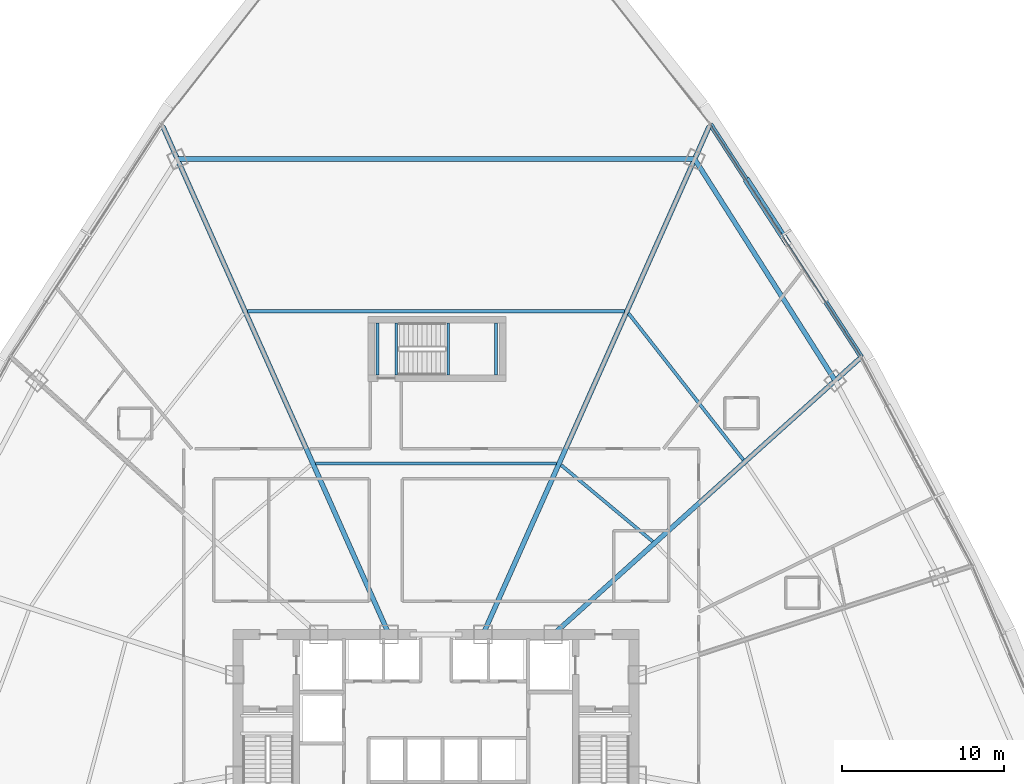
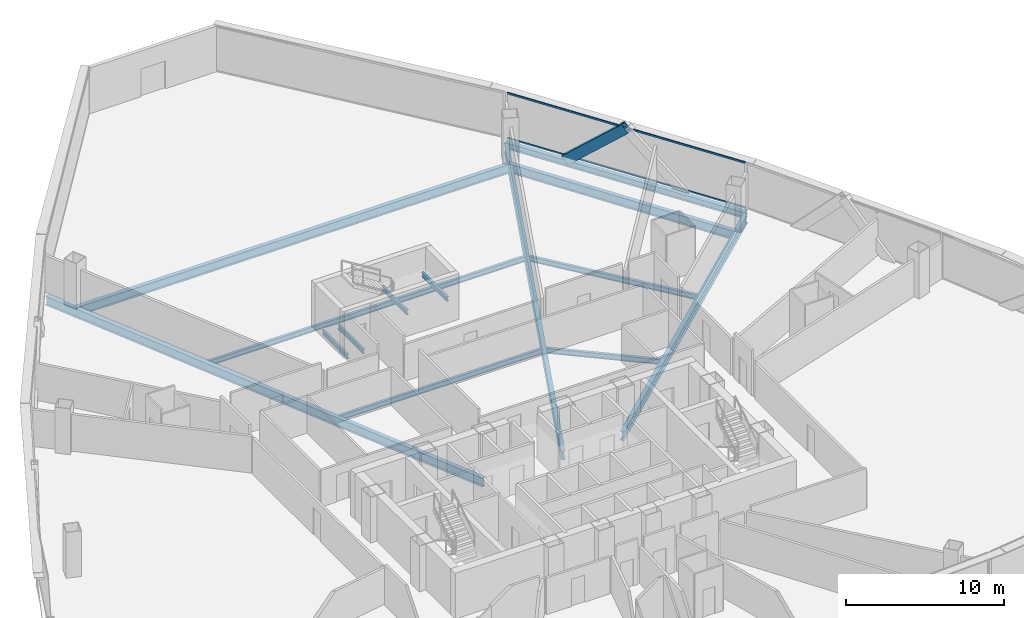
# One storey, part 17 of 37: 14 beams, 3 members, 1 element without a shape of its own.
"""IFC4 building model written with IfcOpenShell, lengths in metres."""

from ifc_helpers import new_model, si_unit, direction, frame, origin, origin_2d, place, context, subcontext, project, spatial, hollow_rectangle, i_section, extrude, source, transform, mapped, material, layer, layer_set, material_profile, profile_set, type_object, element, aggregate, save


model = new_model("IFC4")

# Units and contexts
model_context = context("Model", 3, precision=1e-05, world=origin(), true_north=direction((0.0, 1.0)))
body_context = subcontext(model_context, "Body", "Model", "MODEL_VIEW")
ifc_project = project(units=[si_unit("LENGTHUNIT", "METRE"), si_unit("AREAUNIT", "SQUARE_METRE"), si_unit("VOLUMEUNIT", "CUBIC_METRE"), si_unit("PLANEANGLEUNIT", "RADIAN"), si_unit("MASSUNIT", "GRAM", prefix="KILO"), si_unit("THERMODYNAMICTEMPERATUREUNIT", "KELVIN"), si_unit("POWERUNIT", "WATT")], contexts=[model_context])

# Site, building, storey
site_placement = place(None, origin())
site = spatial("IfcSite", under=ifc_project, at=site_placement, CompositionType="ELEMENT")
building_placement = place(site_placement, origin())
building = spatial("IfcBuilding", under=site, at=building_placement, Name="Yunzhuo Pagoda Commons", CompositionType="ELEMENT")
storey_placement = place(building_placement, frame((0.0, 0.0, 84.97998046875)))
storey = spatial("IfcBuildingStorey", under=building, at=storey_placement, Name="L21", CompositionType="ELEMENT", Elevation=84.97998046875)

# Beams
ifc_material_1 = material(Name="Structural steel Q355B", Category="steel")
ifc_material_profile_1 = material_profile(ifc_material_1, i_section(OverallWidth=0.175048828125, OverallDepth=0.35009765625, WebThickness=0.007080078125, FlangeThickness=0.010986328125, at=origin_2d()), Name="Structural steel Q355B")
ifc_profile_set_1 = profile_set([ifc_material_profile_1], Name="Structural steel Q355B")
beam_type_1 = type_object("IfcBeamType", Name="B-JS2 Joist HN 350x175x7x11", PredefinedType="JOIST", material=ifc_profile_set_1)
shared_shape_1 = source(origin(), body_context, "Body", "SweptSolid", [
    extrude(i_section(OverallWidth=0.175048828125, OverallDepth=0.35009765625, WebThickness=0.007080078125, FlangeThickness=0.010986328125, at=origin_2d()), origin(), (0.0, 0.0, 1.0), 3.199951171875),
])
for number, where, z_axis, x_axis, name in (
    (1, (48.75, 56.199951171875, 1.52490234375), (0.0, 1.0, 0.0), (-1.0, 0.0, 0.0), "L21 ST3 landing support beam 27A"),
    (2, (51.699951171875, 56.199951171875, 1.52490234375), (0.0, 1.0, 0.0), (-1.0, 0.0, 0.0), "L21 ST3 landing support beam 27B"),
    (3, (44.39990234375, 56.199951171875, -0.374755859375), (0.0, 1.0, 0.0), (-1.0, 0.0, 0.0), "L21 ST3 landing support beam 95A"),
    (4, (45.550048828125, 56.199951171875, -0.374755859375), (0.0, 1.0, 0.0), (-1.0, 0.0, 0.0), "L21 ST3 landing support beam 95B"),
):
    element("IfcBeam", number, at=place(storey_placement, frame(where, z_axis=z_axis, x_axis=x_axis)), inside=storey, type_object=beam_type_1, Name=name, PredefinedType="JOIST", context=body_context, shape_type="MappedRepresentation", body=[
        mapped(shared_shape_1, transform((0.0, 0.0, 0.0), scale=1.0)),
    ])
ifc_material_profile_2 = material_profile(ifc_material_1, i_section(OverallWidth=0.300048828125, OverallDepth=0.488037109375, WebThickness=0.010986328125, FlangeThickness=0.01806640625, at=origin_2d()), Name="Structural steel Q355B")
ifc_profile_set_2 = profile_set([ifc_material_profile_2], Name="Structural steel Q355B")
beam_type_2 = type_object("IfcBeamType", Name="B-SP1 Beam HM 488x300x11x18", PredefinedType="BEAM", material=ifc_profile_set_2)
shared_shape_2 = source(origin(), body_context, "Body", "SweptSolid", [
    extrude(i_section(OverallWidth=0.300048828125, OverallDepth=0.488037109375, WebThickness=0.010986328125, FlangeThickness=0.01806640625, at=origin_2d()), origin(), (0.0, 0.0, 1.0), 17.115966796875),
])
beam_1_placement = place(storey_placement, frame((74.2197265625, 57.308349609375, -0.50390625), z_axis=(-0.544271692391, 0.83890900869, 0.0), x_axis=(-0.83890900869, -0.544271692391, 0.0)))
element("IfcBeam", 5, at=beam_1_placement, inside=storey, type_object=beam_type_2, Name="L21 facade edge spandrel beam F2.3", PredefinedType="BEAM", context=body_context, shape_type="MappedRepresentation", body=[
    mapped(shared_shape_2, transform((0.0, 0.0, 0.0), scale=1.0)),
])
ifc_material_profile_3 = material_profile(ifc_material_1, i_section(OverallWidth=0.300048828125, OverallDepth=0.699951171875, WebThickness=0.012939453125, FlangeThickness=0.02392578125, at=origin_2d()), Name="Structural steel Q355B")
ifc_profile_set_3 = profile_set([ifc_material_profile_3], Name="Structural steel Q355B")
beam_type_3 = type_object("IfcBeamType", Name="B-RG1 Beam HN 700x300x13x24", PredefinedType="BEAM", material=ifc_profile_set_3)
shared_shape_3 = source(origin(), body_context, "Body", "SweptSolid", [
    extrude(i_section(OverallWidth=0.300048828125, OverallDepth=0.699951171875, WebThickness=0.012939453125, FlangeThickness=0.02392578125, at=origin_2d()), origin(), (0.0, 0.0, 1.0), 16.16845703125),
])
beam_2_placement = place(storey_placement, frame((72.602783203125, 55.852294921875, -0.60986328125), z_axis=(-0.535695673154, 0.844411123662, 0.0), x_axis=(-0.844411123662, -0.535695673154, 0.0)))
element("IfcBeam", 6, at=beam_2_placement, inside=storey, type_object=beam_type_3, Name="L21 column-ring beam 7", PredefinedType="BEAM", context=body_context, shape_type="MappedRepresentation", body=[
    mapped(shared_shape_3, transform((0.0, 0.0, 0.0), scale=1.0)),
])
shared_shape_4 = source(origin(), body_context, "Body", "SweptSolid", [
    extrude(i_section(OverallWidth=0.300048828125, OverallDepth=0.699951171875, WebThickness=0.012939453125, FlangeThickness=0.02392578125, at=origin_2d()), origin(), (0.0, 0.0, 1.0), 31.8828125),
])
beam_3_placement = place(storey_placement, frame((63.94140625, 69.505126953125, -0.60986328125), z_axis=(-1.0, 0.0, 0.0), x_axis=(0.0, -1.0, 0.0)))
element("IfcBeam", 7, at=beam_3_placement, inside=storey, type_object=beam_type_3, Name="L21 column-ring beam 8", PredefinedType="BEAM", context=body_context, shape_type="MappedRepresentation", body=[
    mapped(shared_shape_4, transform((0.0, 0.0, 0.0), scale=1.0)),
])
shared_shape_5 = source(origin(), body_context, "Body", "SweptSolid", [
    extrude(i_section(OverallWidth=0.300048828125, OverallDepth=0.699951171875, WebThickness=0.012939453125, FlangeThickness=0.02392578125, at=origin_2d()), origin(), (0.0, 0.0, 1.0), 25.4130859375),
])
beam_4_placement = place(storey_placement, frame((74.1044921875, 57.20458984375, -0.60986328125), z_axis=(-0.743143654342, -0.669131907034, 0.0), x_axis=(0.669131907034, -0.743143654342, 0.0)))
element("IfcBeam", 8, at=beam_4_placement, inside=storey, type_object=beam_type_3, Name="L21 radial floor girder F2C3", PredefinedType="BEAM", context=body_context, shape_type="MappedRepresentation", body=[
    mapped(shared_shape_5, transform((0.0, 0.0, 0.0), scale=1.0)),
])
shared_shape_6 = source(origin(), body_context, "Body", "SweptSolid", [
    extrude(i_section(OverallWidth=0.300048828125, OverallDepth=0.699951171875, WebThickness=0.012939453125, FlangeThickness=0.02392578125, at=origin_2d()), origin(), (0.0, 0.0, 1.0), 34.2900390625),
])
beam_5_placement = place(storey_placement, frame((64.84130859375, 71.525390625, -0.60986328125), z_axis=(-0.406743491902, -0.913542408318, 0.0), x_axis=(0.913542408318, -0.406743491902, 0.0)))
element("IfcBeam", 9, at=beam_5_placement, inside=storey, type_object=beam_type_3, Name="L21 radial floor girder F2C4", PredefinedType="BEAM", context=body_context, shape_type="MappedRepresentation", body=[
    mapped(shared_shape_6, transform((0.0, 0.0, 0.0), scale=1.0)),
])
shared_shape_7 = source(origin(), body_context, "Body", "SweptSolid", [
    extrude(i_section(OverallWidth=0.300048828125, OverallDepth=0.699951171875, WebThickness=0.012939453125, FlangeThickness=0.02392578125, at=origin_2d()), origin(), (0.0, 0.0, 1.0), 34.289794921875),
])
beam_6_placement = place(storey_placement, frame((31.1591796875, 71.525390625, -0.60986328125), z_axis=(0.406731607898, -0.913547699432, 0.0), x_axis=(0.913547699432, 0.406731607898, 0.0)))
element("IfcBeam", 10, at=beam_6_placement, inside=storey, type_object=beam_type_3, Name="L21 radial floor girder F3C1", PredefinedType="BEAM", context=body_context, shape_type="MappedRepresentation", body=[
    mapped(shared_shape_7, transform((0.0, 0.0, 0.0), scale=1.0)),
])
ifc_material_profile_4 = material_profile(ifc_material_1, i_section(OverallWidth=0.199951171875, OverallDepth=0.39990234375, WebThickness=0.008056640625, FlangeThickness=0.012939453125, at=origin_2d()), Name="Structural steel Q355B")
ifc_profile_set_4 = profile_set([ifc_material_profile_4], Name="Structural steel Q355B")
beam_type_4 = type_object("IfcBeamType", Name="B-JS1 Joist HN 400x200x8x13", PredefinedType="JOIST", material=ifc_profile_set_4)
shared_shape_8 = source(origin(), body_context, "Body", "SweptSolid", [
    extrude(i_section(OverallWidth=0.199951171875, OverallDepth=0.39990234375, WebThickness=0.008056640625, FlangeThickness=0.012939453125, at=origin_2d()), origin(), (0.0, 0.0, 1.0), 7.350341796875),
])
beam_7_placement = place(storey_placement, frame((61.355224609375, 45.936767578125, -0.459716796875), z_axis=(-0.767589283892, 0.640942034239, 0.0), x_axis=(-0.640942034239, -0.767589283892, 0.0)))
element("IfcBeam", 11, at=beam_7_placement, inside=storey, type_object=beam_type_4, Name="L21 composite ring joist 1.7", PredefinedType="JOIST", context=body_context, shape_type="MappedRepresentation", body=[
    mapped(shared_shape_8, transform((0.0, 0.0, 0.0), scale=1.0)),
])
shared_shape_9 = source(origin(), body_context, "Body", "SweptSolid", [
    extrude(i_section(OverallWidth=0.199951171875, OverallDepth=0.39990234375, WebThickness=0.008056640625, FlangeThickness=0.012939453125, at=origin_2d()), origin(), (0.0, 0.0, 1.0), 11.475830078125),
])
beam_8_placement = place(storey_placement, frame((66.942138671875, 50.96875, -0.459716796875), z_axis=(-0.616739539478, 0.787167288728, 0.0), x_axis=(-0.787167288728, -0.616739539478, 0.0)))
element("IfcBeam", 12, at=beam_8_placement, inside=storey, type_object=beam_type_4, Name="L21 composite ring joist 2.7", PredefinedType="JOIST", context=body_context, shape_type="MappedRepresentation", body=[
    mapped(shared_shape_9, transform((0.0, 0.0, 0.0), scale=1.0)),
])
shared_shape_10 = source(origin(), body_context, "Body", "SweptSolid", [
    extrude(i_section(OverallWidth=0.199951171875, OverallDepth=0.39990234375, WebThickness=0.008056640625, FlangeThickness=0.012939453125, at=origin_2d()), origin(), (0.0, 0.0, 1.0), 14.8642578125),
])
beam_9_placement = place(storey_placement, frame((55.43212890625, 50.749755859375, -0.459716796875), z_axis=(-1.0, 0.0, 0.0), x_axis=(0.0, -1.0, 0.0)))
element("IfcBeam", 13, at=beam_9_placement, inside=storey, type_object=beam_type_4, Name="L21 composite ring joist 1.8", PredefinedType="JOIST", context=body_context, shape_type="MappedRepresentation", body=[
    mapped(shared_shape_10, transform((0.0, 0.0, 0.0), scale=1.0)),
])
shared_shape_11 = source(origin(), body_context, "Body", "SweptSolid", [
    extrude(i_section(OverallWidth=0.199951171875, OverallDepth=0.39990234375, WebThickness=0.008056640625, FlangeThickness=0.012939453125, at=origin_2d()), origin(), (0.0, 0.0, 1.0), 23.21484375),
])
beam_10_placement = place(storey_placement, frame((59.607421875, 60.12744140625, -0.459716796875), z_axis=(-1.0, 0.0, 0.0), x_axis=(0.0, -1.0, 0.0)))
element("IfcBeam", 14, at=beam_10_placement, inside=storey, type_object=beam_type_4, Name="L21 composite ring joist 2.8", PredefinedType="JOIST", context=body_context, shape_type="MappedRepresentation", body=[
    mapped(shared_shape_11, transform((0.0, 0.0, 0.0), scale=1.0)),
])

# Member
ifc_material_2 = material(Name="Structural steel Q420B", Category="steel")
ifc_material_profile_5 = material_profile(ifc_material_2, hollow_rectangle(XDim=0.419921875, YDim=0.719970703125, WallThickness=0.028076171875, at=origin_2d()), Name="Structural steel Q420B")
ifc_profile_set_5 = profile_set([ifc_material_profile_5], Name="Structural steel Q420B")
member_type_1 = type_object("IfcMemberType", Name="M-DL1 Brace BOX 720x420x28", PredefinedType="BRACE", material=ifc_profile_set_5)
shared_shape_12 = source(origin(), body_context, "Body", "SweptSolid", [
    extrude(hollow_rectangle(XDim=0.419921875, YDim=0.719970703125, WallThickness=0.028076171875, at=origin_2d()), origin(), (0.0, 0.0, 1.0), 5.722900390625),
])
member_1_placement = place(storey_placement, frame((67.23291015625, 68.077392578125, -0.260009765625), z_axis=(0.406975638199, -0.627228805915, 0.664044317002), x_axis=(0.838885244112, 0.544308319991, 0.0)))
element("IfcMember", 15, at=member_1_placement, inside=storey, type_object=member_type_1, Name="L21 facade diamond brace F2.3R", PredefinedType="BRACE", context=body_context, shape_type="MappedRepresentation", body=[
    mapped(shared_shape_12, transform((0.0, 0.0, 0.0), scale=1.0)),
])

# Curtain wall, members
ifc_material_3 = material(Name="Anodized aluminium 6063-T6", Category="aluminium")
ifc_layer = layer(ifc_material_3, 0.1650390625)
ifc_layer_set = layer_set([ifc_layer], Name="Anodized aluminium 6063-T6")
curtain_wall_type = type_object("IfcCurtainWallType", Name="CW-LOW Low-Zone Ribbon Curtain Wall", PredefinedType="NOTDEFINED", material=ifc_layer_set)
curtain_wall_placement = place(storey_placement, origin())
curtain_wall = element("IfcCurtainWall", 16, at=curtain_wall_placement, inside=storey, type_object=curtain_wall_type, Name="L21 curtain wall CW-L21-F2B4", PredefinedType="NOTDEFINED")
ifc_material_profile_6 = material_profile(ifc_material_3, hollow_rectangle(XDim=0.06005859375, YDim=0.139892578125, WallThickness=0.00341796875, at=origin_2d()), Name="Anodized aluminium 6063-T6")
ifc_profile_set_6 = profile_set([ifc_material_profile_6], Name="Anodized aluminium 6063-T6")
member_type_2 = type_object("IfcMemberType", Name="CW-LOW-T Transom RHS 140x60x3.5", PredefinedType="USERDEFINED", material=ifc_profile_set_6)
shared_shape_13 = source(origin(), body_context, "Body", "SweptSolid", [
    extrude(hollow_rectangle(XDim=0.06005859375, YDim=0.139892578125, WallThickness=0.00341796875, at=origin_2d()), origin(), (0.0, 0.0, 1.0), 16.98583984375),
])
member_2_placement = place(storey_placement, frame((74.184326171875, 57.363037109375, 0.030029296875), z_axis=(-0.544271762736, 0.838908963051, 0.0), x_axis=(-0.838908963051, -0.544271762736, 0.0)))
member_2 = element("IfcMember", 17, at=member_2_placement, type_object=member_type_2, Name="CW transom 1.1", ObjectType="TRANSOM", PredefinedType="USERDEFINED", context=body_context, shape_type="MappedRepresentation", body=[
    mapped(shared_shape_13, transform((0.0, 0.0, 0.0), scale=1.0)),
])
member_3_placement = place(storey_placement, frame((74.184326171875, 57.363037109375, 3.510009765625), z_axis=(-0.544271762736, 0.838908963051, 0.0), x_axis=(-0.838908963051, -0.544271762736, 0.0)))
member_3 = element("IfcMember", 18, at=member_3_placement, type_object=member_type_2, Name="CW transom 1.2", ObjectType="TRANSOM", PredefinedType="USERDEFINED", context=body_context, shape_type="MappedRepresentation", body=[
    mapped(shared_shape_13, transform((0.0, 0.0, 0.0), scale=1.0)),
])
aggregate(curtain_wall, [member_2, member_3])

save(model, "model.ifc")
